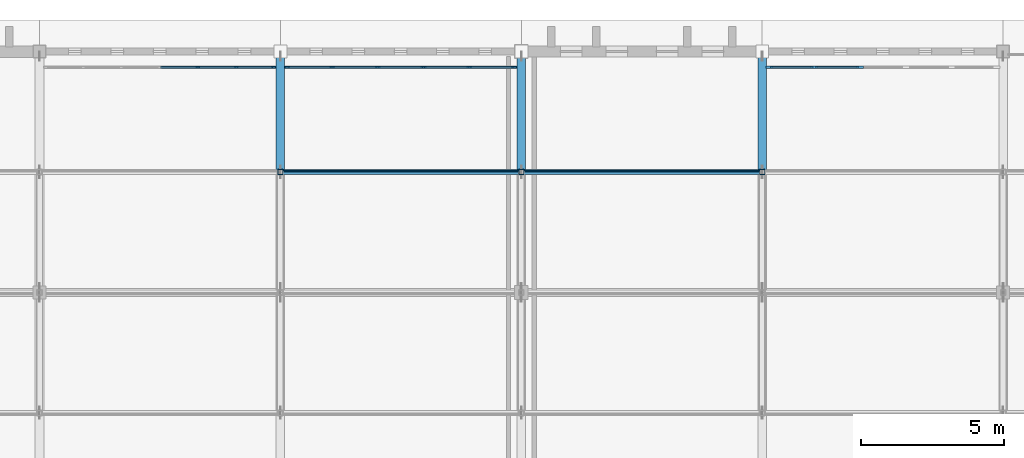
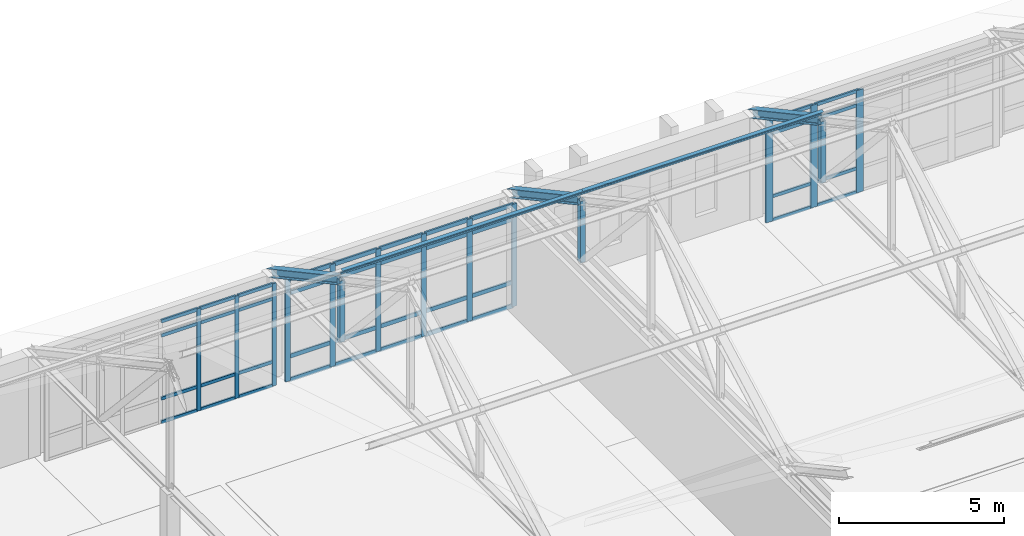
# One storey, part 38 of 110: 60 members, 3 elements without a shape of their own.
"""IFC4 building model written with IfcOpenShell, lengths in metres."""

from ifc_helpers import new_model, si_unit, direction, frame, origin, origin_2d, place, context, subcontext, project, spatial, rectangle, hollow_rectangle, i_section, extrude, material, layer, layer_set, material_profile, profile_set, type_object, element, aggregate, save


model = new_model("IFC4")

# Units and contexts
model_context = context("Model", 3, precision=1e-05, world=origin(), true_north=direction((0.0, 1.0)))
body_context = subcontext(model_context, "Body", "Model", "MODEL_VIEW")
ifc_project = project(units=[si_unit("LENGTHUNIT", "METRE"), si_unit("AREAUNIT", "SQUARE_METRE"), si_unit("VOLUMEUNIT", "CUBIC_METRE"), si_unit("PLANEANGLEUNIT", "RADIAN"), si_unit("MASSUNIT", "GRAM", prefix="KILO")], contexts=[model_context])

# Site, building, storey
site_placement = place(None, origin())
site = spatial("IfcSite", under=ifc_project, at=site_placement, CompositionType="ELEMENT")
building_placement = place(site_placement, origin())
building = spatial("IfcBuilding", under=site, at=building_placement, Name="Kveldsbrygga Polytechnic", CompositionType="ELEMENT")
storey_placement = place(building_placement, frame((0.0, 0.0, 9.860107421875)))
storey = spatial("IfcBuildingStorey", under=building, at=storey_placement, Name="L02", CompositionType="ELEMENT", Elevation=9.860107421875)

# Curtain wall, members
ifc_material_1 = material(Name="Anodised aluminium AW-6060", Category="aluminium")
ifc_layer_1 = layer(ifc_material_1, 0.179931640625)
ifc_layer_set_1 = layer_set([ifc_layer_1], Name="Anodised aluminium AW-6060")
curtain_wall_type_1 = type_object("IfcCurtainWallType", Name="CW-CONC-A", PredefinedType="USERDEFINED", material=ifc_layer_set_1)
curtain_wall_1_placement = place(storey_placement, origin())
curtain_wall_1 = element("IfcCurtainWall", 1, at=curtain_wall_1_placement, inside=storey, type_object=curtain_wall_type_1, Name="Curtain Wall CW-L02-X-07-14", ObjectType="UNITISED CURTAIN WALL", PredefinedType="USERDEFINED")
ifc_material_profile_1 = material_profile(ifc_material_1, rectangle(XDim=0.06005859375, YDim=0.139892578125, at=origin_2d()), Name="ALU 60x140")
ifc_profile_set_1 = profile_set([ifc_material_profile_1], Name="Anodised aluminium AW-6060")
member_type_1 = type_object("IfcMemberType", Name="CW-MUL-140", PredefinedType="MULLION", material=ifc_profile_set_1)
member_1_placement = place(storey_placement, frame((64.324951171875, 117.050048828125, 0.0), z_axis=(0.0, 0.0, 1.0), x_axis=(0.0, 1.0, 0.0)))
member_1 = element("IfcMember", 2, at=member_1_placement, type_object=member_type_1, Name="CW-01 mullion 5", PredefinedType="MULLION", context=body_context, shape_type="SweptSolid", body=[
    extrude(rectangle(XDim=0.06005859375, YDim=0.139892578125, at=origin_2d()), origin(), (0.0, 0.0, 1.0), 3.77978515625),
])
member_2_placement = place(storey_placement, frame((65.657470703125, 117.050048828125, 0.0), z_axis=(0.0, 0.0, 1.0), x_axis=(0.0, 1.0, 0.0)))
member_2 = element("IfcMember", 3, at=member_2_placement, type_object=member_type_1, Name="CW-01 mullion 6", PredefinedType="MULLION", context=body_context, shape_type="SweptSolid", body=[
    extrude(rectangle(XDim=0.06005859375, YDim=0.139892578125, at=origin_2d()), origin(), (0.0, 0.0, 1.0), 3.77978515625),
])
member_3_placement = place(storey_placement, frame((66.9599609375, 117.050048828125, 0.0), z_axis=(0.0, 0.0, 1.0), x_axis=(0.0, 1.0, 0.0)))
member_3 = element("IfcMember", 4, at=member_3_placement, type_object=member_type_1, Name="CW-01 mullion 7", PredefinedType="MULLION", context=body_context, shape_type="SweptSolid", body=[
    extrude(rectangle(XDim=0.06005859375, YDim=0.139892578125, at=origin_2d()), origin(), (0.0, 0.0, 1.0), 3.77978515625),
])

ifc_layer_2 = layer(ifc_material_1, 0.199951171875)
ifc_layer_set_2 = layer_set([ifc_layer_2], Name="Anodised aluminium AW-6060")
curtain_wall_type_2 = type_object("IfcCurtainWallType", Name="CW-CONC-B", PredefinedType="USERDEFINED", material=ifc_layer_set_2)
curtain_wall_2_placement = place(storey_placement, origin())
curtain_wall_2 = element("IfcCurtainWall", 5, at=curtain_wall_2_placement, inside=storey, type_object=curtain_wall_type_2, Name="Curtain Wall CW-L02-X-08-14", ObjectType="UNITISED CURTAIN WALL", PredefinedType="USERDEFINED")
ifc_material_profile_2 = material_profile(ifc_material_1, rectangle(XDim=0.06005859375, YDim=0.179931640625, at=origin_2d()), Name="ALU 60x180")
ifc_profile_set_2 = profile_set([ifc_material_profile_2], Name="Anodised aluminium AW-6060")
member_type_2 = type_object("IfcMemberType", Name="CW-MUL-180", PredefinedType="MULLION", material=ifc_profile_set_2)
member_4_placement = place(storey_placement, frame((67.43994140625, 117.050048828125, 0.0), z_axis=(0.0, 0.0, 1.0), x_axis=(0.0, 1.0, 0.0)))
member_4 = element("IfcMember", 6, at=member_4_placement, type_object=member_type_2, Name="CW-02 mullion 1", PredefinedType="MULLION", context=body_context, shape_type="SweptSolid", body=[
    extrude(rectangle(XDim=0.06005859375, YDim=0.179931640625, at=origin_2d()), origin(), (0.0, 0.0, 1.0), 3.77978515625),
])
member_5_placement = place(storey_placement, frame((69.0029296875, 117.050048828125, 0.0), z_axis=(0.0, 0.0, 1.0), x_axis=(0.0, 1.0, 0.0)))
member_5 = element("IfcMember", 7, at=member_5_placement, type_object=member_type_2, Name="CW-02 mullion 2", PredefinedType="MULLION", context=body_context, shape_type="SweptSolid", body=[
    extrude(rectangle(XDim=0.06005859375, YDim=0.179931640625, at=origin_2d()), origin(), (0.0, 0.0, 1.0), 3.77978515625),
])
member_6_placement = place(storey_placement, frame((70.595947265625, 117.050048828125, 0.0), z_axis=(0.0, 0.0, 1.0), x_axis=(0.0, 1.0, 0.0)))
member_6 = element("IfcMember", 8, at=member_6_placement, type_object=member_type_2, Name="CW-02 mullion 3", PredefinedType="MULLION", context=body_context, shape_type="SweptSolid", body=[
    extrude(rectangle(XDim=0.06005859375, YDim=0.179931640625, at=origin_2d()), origin(), (0.0, 0.0, 1.0), 3.77978515625),
])
member_7_placement = place(storey_placement, frame((72.18896484375, 117.050048828125, 0.0), z_axis=(0.0, 0.0, 1.0), x_axis=(0.0, 1.0, 0.0)))
member_7 = element("IfcMember", 9, at=member_7_placement, type_object=member_type_2, Name="CW-02 mullion 4", PredefinedType="MULLION", context=body_context, shape_type="SweptSolid", body=[
    extrude(rectangle(XDim=0.06005859375, YDim=0.179931640625, at=origin_2d()), origin(), (0.0, 0.0, 1.0), 3.77978515625),
])
member_8_placement = place(storey_placement, frame((73.781982421875, 117.050048828125, 0.0), z_axis=(0.0, 0.0, 1.0), x_axis=(0.0, 1.0, 0.0)))
member_8 = element("IfcMember", 10, at=member_8_placement, type_object=member_type_2, Name="CW-02 mullion 5", PredefinedType="MULLION", context=body_context, shape_type="SweptSolid", body=[
    extrude(rectangle(XDim=0.06005859375, YDim=0.179931640625, at=origin_2d()), origin(), (0.0, 0.0, 1.0), 3.77978515625),
])
member_9_placement = place(storey_placement, frame((75.344970703125, 117.050048828125, 0.0), z_axis=(0.0, 0.0, 1.0), x_axis=(0.0, 1.0, 0.0)))
member_9 = element("IfcMember", 11, at=member_9_placement, type_object=member_type_2, Name="CW-02 mullion 6", PredefinedType="MULLION", context=body_context, shape_type="SweptSolid", body=[
    extrude(rectangle(XDim=0.06005859375, YDim=0.179931640625, at=origin_2d()), origin(), (0.0, 0.0, 1.0), 3.77978515625),
])

ifc_layer_3 = layer(ifc_material_1, 0.179931640625)
ifc_layer_set_3 = layer_set([ifc_layer_3], Name="Anodised aluminium AW-6060")
curtain_wall_type_3 = type_object("IfcCurtainWallType", Name="CW-LANC-D", PredefinedType="USERDEFINED", material=ifc_layer_set_3)
curtain_wall_3_placement = place(storey_placement, origin())
curtain_wall_3 = element("IfcCurtainWall", 12, at=curtain_wall_3_placement, inside=storey, type_object=curtain_wall_type_3, Name="Curtain Wall CW-L02-X-10-14", ObjectType="UNITISED CURTAIN WALL", PredefinedType="USERDEFINED")
ifc_material_profile_3 = material_profile(ifc_material_1, rectangle(XDim=0.074951171875, YDim=0.239990234375, at=origin_2d()), Name="ALU 75x240")
ifc_profile_set_3 = profile_set([ifc_material_profile_3], Name="Anodised aluminium AW-6060")
member_type_3 = type_object("IfcMemberType", Name="CW-MUL-240", PredefinedType="MULLION", material=ifc_profile_set_3)
member_10_placement = place(storey_placement, frame((84.24755859375, 117.050048828125, 0.0), z_axis=(0.0, 0.0, 1.0), x_axis=(0.0, 1.0, 0.0)))
member_10 = element("IfcMember", 13, at=member_10_placement, type_object=member_type_3, Name="CW-04 mullion 1", PredefinedType="MULLION", context=body_context, shape_type="SweptSolid", body=[
    extrude(rectangle(XDim=0.074951171875, YDim=0.239990234375, at=origin_2d()), origin(), (0.0, 0.0, 1.0), 3.77978515625),
])
member_11_placement = place(storey_placement, frame((85.80908203125, 117.050048828125, 0.0), z_axis=(0.0, 0.0, 1.0), x_axis=(0.0, 1.0, 0.0)))
member_11 = element("IfcMember", 14, at=member_11_placement, type_object=member_type_3, Name="CW-04 mullion 2", PredefinedType="MULLION", context=body_context, shape_type="SweptSolid", body=[
    extrude(rectangle(XDim=0.074951171875, YDim=0.239990234375, at=origin_2d()), origin(), (0.0, 0.0, 1.0), 3.77978515625),
])
member_12_placement = place(storey_placement, frame((87.407958984375, 117.050048828125, 0.0), z_axis=(0.0, 0.0, 1.0), x_axis=(0.0, 1.0, 0.0)))
member_12 = element("IfcMember", 15, at=member_12_placement, type_object=member_type_3, Name="CW-04 mullion 3", PredefinedType="MULLION", context=body_context, shape_type="SweptSolid", body=[
    extrude(rectangle(XDim=0.074951171875, YDim=0.239990234375, at=origin_2d()), origin(), (0.0, 0.0, 1.0), 3.77978515625),
])

# Member
ifc_material_profile_4 = material_profile(ifc_material_1, rectangle(XDim=0.06005859375, YDim=0.1201171875, at=origin_2d()), Name="ALU 60x120")
ifc_profile_set_4 = profile_set([ifc_material_profile_4], Name="Anodised aluminium AW-6060")
member_type_4 = type_object("IfcMemberType", Name="CW-TRN-120", PredefinedType="USERDEFINED", material=ifc_profile_set_4)
member_13_placement = place(storey_placement, frame((63.0224609375, 117.050048828125, 0.02978515625), z_axis=(1.0, 0.0, 0.0), x_axis=(0.0, 1.0, 0.0)))
member_13 = element("IfcMember", 16, at=member_13_placement, type_object=member_type_4, Name="CW-01 transom 4.1", ObjectType="TRANSOM", PredefinedType="USERDEFINED", context=body_context, shape_type="SweptSolid", body=[
    extrude(rectangle(XDim=0.06005859375, YDim=0.1201171875, at=origin_2d()), origin(), (0.0, 0.0, 1.0), 1.2724609375),
])

member_14_placement = place(storey_placement, frame((63.0224609375, 117.050048828125, 0.89990234375), z_axis=(1.0, 0.0, 0.0), x_axis=(0.0, 1.0, 0.0)))
member_14 = element("IfcMember", 17, at=member_14_placement, type_object=member_type_4, Name="CW-01 transom 4.2", ObjectType="TRANSOM", PredefinedType="USERDEFINED", context=body_context, shape_type="SweptSolid", body=[
    extrude(rectangle(XDim=0.06005859375, YDim=0.1201171875, at=origin_2d()), origin(), (0.0, 0.0, 1.0), 1.2724609375),
])

member_15_placement = place(storey_placement, frame((63.0224609375, 117.050048828125, 3.22998046875), z_axis=(1.0, 0.0, 0.0), x_axis=(0.0, 1.0, 0.0)))
member_15 = element("IfcMember", 18, at=member_15_placement, type_object=member_type_4, Name="CW-01 transom 4.3", ObjectType="TRANSOM", PredefinedType="USERDEFINED", context=body_context, shape_type="SweptSolid", body=[
    extrude(rectangle(XDim=0.06005859375, YDim=0.1201171875, at=origin_2d()), origin(), (0.0, 0.0, 1.0), 1.2724609375),
])

member_16_placement = place(storey_placement, frame((63.0224609375, 117.050048828125, 3.75), z_axis=(1.0, 0.0, 0.0), x_axis=(0.0, 1.0, 0.0)))
member_16 = element("IfcMember", 19, at=member_16_placement, type_object=member_type_4, Name="CW-01 transom 4.4", ObjectType="TRANSOM", PredefinedType="USERDEFINED", context=body_context, shape_type="SweptSolid", body=[
    extrude(rectangle(XDim=0.06005859375, YDim=0.1201171875, at=origin_2d()), origin(), (0.0, 0.0, 1.0), 1.2724609375),
])

member_17_placement = place(storey_placement, frame((64.35498046875, 117.050048828125, 0.02978515625), z_axis=(1.0, 0.0, 0.0), x_axis=(0.0, 1.0, 0.0)))
member_17 = element("IfcMember", 20, at=member_17_placement, type_object=member_type_4, Name="CW-01 transom 5.1", ObjectType="TRANSOM", PredefinedType="USERDEFINED", context=body_context, shape_type="SweptSolid", body=[
    extrude(rectangle(XDim=0.06005859375, YDim=0.1201171875, at=origin_2d()), origin(), (0.0, 0.0, 1.0), 1.2724609375),
])

member_18_placement = place(storey_placement, frame((64.35498046875, 117.050048828125, 0.89990234375), z_axis=(1.0, 0.0, 0.0), x_axis=(0.0, 1.0, 0.0)))
member_18 = element("IfcMember", 21, at=member_18_placement, type_object=member_type_4, Name="CW-01 transom 5.2", ObjectType="TRANSOM", PredefinedType="USERDEFINED", context=body_context, shape_type="SweptSolid", body=[
    extrude(rectangle(XDim=0.06005859375, YDim=0.1201171875, at=origin_2d()), origin(), (0.0, 0.0, 1.0), 1.2724609375),
])

member_19_placement = place(storey_placement, frame((64.35498046875, 117.050048828125, 3.22998046875), z_axis=(1.0, 0.0, 0.0), x_axis=(0.0, 1.0, 0.0)))
member_19 = element("IfcMember", 22, at=member_19_placement, type_object=member_type_4, Name="CW-01 transom 5.3", ObjectType="TRANSOM", PredefinedType="USERDEFINED", context=body_context, shape_type="SweptSolid", body=[
    extrude(rectangle(XDim=0.06005859375, YDim=0.1201171875, at=origin_2d()), origin(), (0.0, 0.0, 1.0), 1.2724609375),
])

member_20_placement = place(storey_placement, frame((64.35498046875, 117.050048828125, 3.75), z_axis=(1.0, 0.0, 0.0), x_axis=(0.0, 1.0, 0.0)))
member_20 = element("IfcMember", 23, at=member_20_placement, type_object=member_type_4, Name="CW-01 transom 5.4", ObjectType="TRANSOM", PredefinedType="USERDEFINED", context=body_context, shape_type="SweptSolid", body=[
    extrude(rectangle(XDim=0.06005859375, YDim=0.1201171875, at=origin_2d()), origin(), (0.0, 0.0, 1.0), 1.2724609375),
])

member_21_placement = place(storey_placement, frame((65.6875, 117.050048828125, 0.02978515625), z_axis=(1.0, 0.0, 0.0), x_axis=(0.0, 1.0, 0.0)))
member_21 = element("IfcMember", 24, at=member_21_placement, type_object=member_type_4, Name="CW-01 transom 6.1", ObjectType="TRANSOM", PredefinedType="USERDEFINED", context=body_context, shape_type="SweptSolid", body=[
    extrude(rectangle(XDim=0.06005859375, YDim=0.1201171875, at=origin_2d()), origin(), (0.0, 0.0, 1.0), 1.242431640625),
])

member_22_placement = place(storey_placement, frame((65.6875, 117.050048828125, 0.89990234375), z_axis=(1.0, 0.0, 0.0), x_axis=(0.0, 1.0, 0.0)))
member_22 = element("IfcMember", 25, at=member_22_placement, type_object=member_type_4, Name="CW-01 transom 6.2", ObjectType="TRANSOM", PredefinedType="USERDEFINED", context=body_context, shape_type="SweptSolid", body=[
    extrude(rectangle(XDim=0.06005859375, YDim=0.1201171875, at=origin_2d()), origin(), (0.0, 0.0, 1.0), 1.242431640625),
])

member_23_placement = place(storey_placement, frame((65.6875, 117.050048828125, 3.22998046875), z_axis=(1.0, 0.0, 0.0), x_axis=(0.0, 1.0, 0.0)))
member_23 = element("IfcMember", 26, at=member_23_placement, type_object=member_type_4, Name="CW-01 transom 6.3", ObjectType="TRANSOM", PredefinedType="USERDEFINED", context=body_context, shape_type="SweptSolid", body=[
    extrude(rectangle(XDim=0.06005859375, YDim=0.1201171875, at=origin_2d()), origin(), (0.0, 0.0, 1.0), 1.242431640625),
])

member_24_placement = place(storey_placement, frame((65.6875, 117.050048828125, 3.75), z_axis=(1.0, 0.0, 0.0), x_axis=(0.0, 1.0, 0.0)))
member_24 = element("IfcMember", 27, at=member_24_placement, type_object=member_type_4, Name="CW-01 transom 6.4", ObjectType="TRANSOM", PredefinedType="USERDEFINED", context=body_context, shape_type="SweptSolid", body=[
    extrude(rectangle(XDim=0.06005859375, YDim=0.1201171875, at=origin_2d()), origin(), (0.0, 0.0, 1.0), 1.242431640625),
])

aggregate(curtain_wall_1, [member_1, member_2, member_3, member_13, member_14, member_15, member_16, member_17, member_18, member_19, member_20, member_21, member_22, member_23, member_24])

member_25_placement = place(storey_placement, frame((84.284912109375, 117.050048828125, 0.02978515625), z_axis=(1.0, 0.0, 0.0), x_axis=(0.0, 1.0, 0.0)))
member_25 = element("IfcMember", 28, at=member_25_placement, type_object=member_type_4, Name="CW-04 transom 1.1", ObjectType="TRANSOM", PredefinedType="USERDEFINED", context=body_context, shape_type="SweptSolid", body=[
    extrude(rectangle(XDim=0.06005859375, YDim=0.1201171875, at=origin_2d()), origin(), (0.0, 0.0, 1.0), 1.486572265625),
])

member_26_placement = place(storey_placement, frame((84.284912109375, 117.050048828125, 0.89990234375), z_axis=(1.0, 0.0, 0.0), x_axis=(0.0, 1.0, 0.0)))
member_26 = element("IfcMember", 29, at=member_26_placement, type_object=member_type_4, Name="CW-04 transom 1.2", ObjectType="TRANSOM", PredefinedType="USERDEFINED", context=body_context, shape_type="SweptSolid", body=[
    extrude(rectangle(XDim=0.06005859375, YDim=0.1201171875, at=origin_2d()), origin(), (0.0, 0.0, 1.0), 1.486572265625),
])

member_27_placement = place(storey_placement, frame((84.284912109375, 117.050048828125, 3.22998046875), z_axis=(1.0, 0.0, 0.0), x_axis=(0.0, 1.0, 0.0)))
member_27 = element("IfcMember", 30, at=member_27_placement, type_object=member_type_4, Name="CW-04 transom 1.3", ObjectType="TRANSOM", PredefinedType="USERDEFINED", context=body_context, shape_type="SweptSolid", body=[
    extrude(rectangle(XDim=0.06005859375, YDim=0.1201171875, at=origin_2d()), origin(), (0.0, 0.0, 1.0), 1.486572265625),
])

member_28_placement = place(storey_placement, frame((84.284912109375, 117.050048828125, 3.75), z_axis=(1.0, 0.0, 0.0), x_axis=(0.0, 1.0, 0.0)))
member_28 = element("IfcMember", 31, at=member_28_placement, type_object=member_type_4, Name="CW-04 transom 1.4", ObjectType="TRANSOM", PredefinedType="USERDEFINED", context=body_context, shape_type="SweptSolid", body=[
    extrude(rectangle(XDim=0.06005859375, YDim=0.1201171875, at=origin_2d()), origin(), (0.0, 0.0, 1.0), 1.486572265625),
])

member_29_placement = place(storey_placement, frame((85.846435546875, 117.050048828125, 0.02978515625), z_axis=(1.0, 0.0, 0.0), x_axis=(0.0, 1.0, 0.0)))
member_29 = element("IfcMember", 32, at=member_29_placement, type_object=member_type_4, Name="CW-04 transom 2.1", ObjectType="TRANSOM", PredefinedType="USERDEFINED", context=body_context, shape_type="SweptSolid", body=[
    extrude(rectangle(XDim=0.06005859375, YDim=0.1201171875, at=origin_2d()), origin(), (0.0, 0.0, 1.0), 1.524169921875),
])

member_30_placement = place(storey_placement, frame((85.846435546875, 117.050048828125, 0.89990234375), z_axis=(1.0, 0.0, 0.0), x_axis=(0.0, 1.0, 0.0)))
member_30 = element("IfcMember", 33, at=member_30_placement, type_object=member_type_4, Name="CW-04 transom 2.2", ObjectType="TRANSOM", PredefinedType="USERDEFINED", context=body_context, shape_type="SweptSolid", body=[
    extrude(rectangle(XDim=0.06005859375, YDim=0.1201171875, at=origin_2d()), origin(), (0.0, 0.0, 1.0), 1.524169921875),
])

member_31_placement = place(storey_placement, frame((85.846435546875, 117.050048828125, 3.22998046875), z_axis=(1.0, 0.0, 0.0), x_axis=(0.0, 1.0, 0.0)))
member_31 = element("IfcMember", 34, at=member_31_placement, type_object=member_type_4, Name="CW-04 transom 2.3", ObjectType="TRANSOM", PredefinedType="USERDEFINED", context=body_context, shape_type="SweptSolid", body=[
    extrude(rectangle(XDim=0.06005859375, YDim=0.1201171875, at=origin_2d()), origin(), (0.0, 0.0, 1.0), 1.524169921875),
])

member_32_placement = place(storey_placement, frame((85.846435546875, 117.050048828125, 3.75), z_axis=(1.0, 0.0, 0.0), x_axis=(0.0, 1.0, 0.0)))
member_32 = element("IfcMember", 35, at=member_32_placement, type_object=member_type_4, Name="CW-04 transom 2.4", ObjectType="TRANSOM", PredefinedType="USERDEFINED", context=body_context, shape_type="SweptSolid", body=[
    extrude(rectangle(XDim=0.06005859375, YDim=0.1201171875, at=origin_2d()), origin(), (0.0, 0.0, 1.0), 1.524169921875),
])

aggregate(curtain_wall_3, [member_10, member_11, member_12, member_25, member_26, member_27, member_28, member_29, member_30, member_31, member_32])

ifc_material_profile_5 = material_profile(ifc_material_1, rectangle(XDim=0.06005859375, YDim=0.14990234375, at=origin_2d()), Name="ALU 60x150")
ifc_profile_set_5 = profile_set([ifc_material_profile_5], Name="Anodised aluminium AW-6060")
member_type_5 = type_object("IfcMemberType", Name="CW-TRN-150", PredefinedType="USERDEFINED", material=ifc_profile_set_5)
member_33_placement = place(storey_placement, frame((67.469970703125, 117.050048828125, 0.02978515625), z_axis=(1.0, 0.0, 0.0), x_axis=(0.0, 1.0, 0.0)))
member_33 = element("IfcMember", 36, at=member_33_placement, type_object=member_type_5, Name="CW-02 transom 1.1", ObjectType="TRANSOM", PredefinedType="USERDEFINED", context=body_context, shape_type="SweptSolid", body=[
    extrude(rectangle(XDim=0.06005859375, YDim=0.14990234375, at=origin_2d()), origin(), (0.0, 0.0, 1.0), 1.5029296875),
])

member_34_placement = place(storey_placement, frame((67.469970703125, 117.050048828125, 0.89990234375), z_axis=(1.0, 0.0, 0.0), x_axis=(0.0, 1.0, 0.0)))
member_34 = element("IfcMember", 37, at=member_34_placement, type_object=member_type_5, Name="CW-02 transom 1.2", ObjectType="TRANSOM", PredefinedType="USERDEFINED", context=body_context, shape_type="SweptSolid", body=[
    extrude(rectangle(XDim=0.06005859375, YDim=0.14990234375, at=origin_2d()), origin(), (0.0, 0.0, 1.0), 1.5029296875),
])

member_35_placement = place(storey_placement, frame((67.469970703125, 117.050048828125, 3.22998046875), z_axis=(1.0, 0.0, 0.0), x_axis=(0.0, 1.0, 0.0)))
member_35 = element("IfcMember", 38, at=member_35_placement, type_object=member_type_5, Name="CW-02 transom 1.3", ObjectType="TRANSOM", PredefinedType="USERDEFINED", context=body_context, shape_type="SweptSolid", body=[
    extrude(rectangle(XDim=0.06005859375, YDim=0.14990234375, at=origin_2d()), origin(), (0.0, 0.0, 1.0), 1.5029296875),
])

member_36_placement = place(storey_placement, frame((67.469970703125, 117.050048828125, 3.75), z_axis=(1.0, 0.0, 0.0), x_axis=(0.0, 1.0, 0.0)))
member_36 = element("IfcMember", 39, at=member_36_placement, type_object=member_type_5, Name="CW-02 transom 1.4", ObjectType="TRANSOM", PredefinedType="USERDEFINED", context=body_context, shape_type="SweptSolid", body=[
    extrude(rectangle(XDim=0.06005859375, YDim=0.14990234375, at=origin_2d()), origin(), (0.0, 0.0, 1.0), 1.5029296875),
])

member_37_placement = place(storey_placement, frame((69.032958984375, 117.050048828125, 0.02978515625), z_axis=(1.0, 0.0, 0.0), x_axis=(0.0, 1.0, 0.0)))
member_37 = element("IfcMember", 40, at=member_37_placement, type_object=member_type_5, Name="CW-02 transom 2.1", ObjectType="TRANSOM", PredefinedType="USERDEFINED", context=body_context, shape_type="SweptSolid", body=[
    extrude(rectangle(XDim=0.06005859375, YDim=0.14990234375, at=origin_2d()), origin(), (0.0, 0.0, 1.0), 1.532958984375),
])

member_38_placement = place(storey_placement, frame((69.032958984375, 117.050048828125, 0.89990234375), z_axis=(1.0, 0.0, 0.0), x_axis=(0.0, 1.0, 0.0)))
member_38 = element("IfcMember", 41, at=member_38_placement, type_object=member_type_5, Name="CW-02 transom 2.2", ObjectType="TRANSOM", PredefinedType="USERDEFINED", context=body_context, shape_type="SweptSolid", body=[
    extrude(rectangle(XDim=0.06005859375, YDim=0.14990234375, at=origin_2d()), origin(), (0.0, 0.0, 1.0), 1.532958984375),
])

member_39_placement = place(storey_placement, frame((69.032958984375, 117.050048828125, 3.22998046875), z_axis=(1.0, 0.0, 0.0), x_axis=(0.0, 1.0, 0.0)))
member_39 = element("IfcMember", 42, at=member_39_placement, type_object=member_type_5, Name="CW-02 transom 2.3", ObjectType="TRANSOM", PredefinedType="USERDEFINED", context=body_context, shape_type="SweptSolid", body=[
    extrude(rectangle(XDim=0.06005859375, YDim=0.14990234375, at=origin_2d()), origin(), (0.0, 0.0, 1.0), 1.532958984375),
])

member_40_placement = place(storey_placement, frame((69.032958984375, 117.050048828125, 3.75), z_axis=(1.0, 0.0, 0.0), x_axis=(0.0, 1.0, 0.0)))
member_40 = element("IfcMember", 43, at=member_40_placement, type_object=member_type_5, Name="CW-02 transom 2.4", ObjectType="TRANSOM", PredefinedType="USERDEFINED", context=body_context, shape_type="SweptSolid", body=[
    extrude(rectangle(XDim=0.06005859375, YDim=0.14990234375, at=origin_2d()), origin(), (0.0, 0.0, 1.0), 1.532958984375),
])

member_41_placement = place(storey_placement, frame((70.6259765625, 117.050048828125, 0.02978515625), z_axis=(1.0, 0.0, 0.0), x_axis=(0.0, 1.0, 0.0)))
member_41 = element("IfcMember", 44, at=member_41_placement, type_object=member_type_5, Name="CW-02 transom 3.1", ObjectType="TRANSOM", PredefinedType="USERDEFINED", context=body_context, shape_type="SweptSolid", body=[
    extrude(rectangle(XDim=0.06005859375, YDim=0.14990234375, at=origin_2d()), origin(), (0.0, 0.0, 1.0), 1.532958984375),
])

member_42_placement = place(storey_placement, frame((70.6259765625, 117.050048828125, 0.89990234375), z_axis=(1.0, 0.0, 0.0), x_axis=(0.0, 1.0, 0.0)))
member_42 = element("IfcMember", 45, at=member_42_placement, type_object=member_type_5, Name="CW-02 transom 3.2", ObjectType="TRANSOM", PredefinedType="USERDEFINED", context=body_context, shape_type="SweptSolid", body=[
    extrude(rectangle(XDim=0.06005859375, YDim=0.14990234375, at=origin_2d()), origin(), (0.0, 0.0, 1.0), 1.532958984375),
])

member_43_placement = place(storey_placement, frame((70.6259765625, 117.050048828125, 3.22998046875), z_axis=(1.0, 0.0, 0.0), x_axis=(0.0, 1.0, 0.0)))
member_43 = element("IfcMember", 46, at=member_43_placement, type_object=member_type_5, Name="CW-02 transom 3.3", ObjectType="TRANSOM", PredefinedType="USERDEFINED", context=body_context, shape_type="SweptSolid", body=[
    extrude(rectangle(XDim=0.06005859375, YDim=0.14990234375, at=origin_2d()), origin(), (0.0, 0.0, 1.0), 1.532958984375),
])

member_44_placement = place(storey_placement, frame((70.6259765625, 117.050048828125, 3.75), z_axis=(1.0, 0.0, 0.0), x_axis=(0.0, 1.0, 0.0)))
member_44 = element("IfcMember", 47, at=member_44_placement, type_object=member_type_5, Name="CW-02 transom 3.4", ObjectType="TRANSOM", PredefinedType="USERDEFINED", context=body_context, shape_type="SweptSolid", body=[
    extrude(rectangle(XDim=0.06005859375, YDim=0.14990234375, at=origin_2d()), origin(), (0.0, 0.0, 1.0), 1.532958984375),
])

member_45_placement = place(storey_placement, frame((72.218994140625, 117.050048828125, 0.02978515625), z_axis=(1.0, 0.0, 0.0), x_axis=(0.0, 1.0, 0.0)))
member_45 = element("IfcMember", 48, at=member_45_placement, type_object=member_type_5, Name="CW-02 transom 4.1", ObjectType="TRANSOM", PredefinedType="USERDEFINED", context=body_context, shape_type="SweptSolid", body=[
    extrude(rectangle(XDim=0.06005859375, YDim=0.14990234375, at=origin_2d()), origin(), (0.0, 0.0, 1.0), 1.532958984375),
])

member_46_placement = place(storey_placement, frame((72.218994140625, 117.050048828125, 0.89990234375), z_axis=(1.0, 0.0, 0.0), x_axis=(0.0, 1.0, 0.0)))
member_46 = element("IfcMember", 49, at=member_46_placement, type_object=member_type_5, Name="CW-02 transom 4.2", ObjectType="TRANSOM", PredefinedType="USERDEFINED", context=body_context, shape_type="SweptSolid", body=[
    extrude(rectangle(XDim=0.06005859375, YDim=0.14990234375, at=origin_2d()), origin(), (0.0, 0.0, 1.0), 1.532958984375),
])

member_47_placement = place(storey_placement, frame((72.218994140625, 117.050048828125, 3.22998046875), z_axis=(1.0, 0.0, 0.0), x_axis=(0.0, 1.0, 0.0)))
member_47 = element("IfcMember", 50, at=member_47_placement, type_object=member_type_5, Name="CW-02 transom 4.3", ObjectType="TRANSOM", PredefinedType="USERDEFINED", context=body_context, shape_type="SweptSolid", body=[
    extrude(rectangle(XDim=0.06005859375, YDim=0.14990234375, at=origin_2d()), origin(), (0.0, 0.0, 1.0), 1.532958984375),
])

member_48_placement = place(storey_placement, frame((72.218994140625, 117.050048828125, 3.75), z_axis=(1.0, 0.0, 0.0), x_axis=(0.0, 1.0, 0.0)))
member_48 = element("IfcMember", 51, at=member_48_placement, type_object=member_type_5, Name="CW-02 transom 4.4", ObjectType="TRANSOM", PredefinedType="USERDEFINED", context=body_context, shape_type="SweptSolid", body=[
    extrude(rectangle(XDim=0.06005859375, YDim=0.14990234375, at=origin_2d()), origin(), (0.0, 0.0, 1.0), 1.532958984375),
])

member_49_placement = place(storey_placement, frame((73.81201171875, 117.050048828125, 0.02978515625), z_axis=(1.0, 0.0, 0.0), x_axis=(0.0, 1.0, 0.0)))
member_49 = element("IfcMember", 52, at=member_49_placement, type_object=member_type_5, Name="CW-02 transom 5.1", ObjectType="TRANSOM", PredefinedType="USERDEFINED", context=body_context, shape_type="SweptSolid", body=[
    extrude(rectangle(XDim=0.06005859375, YDim=0.14990234375, at=origin_2d()), origin(), (0.0, 0.0, 1.0), 1.5029296875),
])

member_50_placement = place(storey_placement, frame((73.81201171875, 117.050048828125, 0.89990234375), z_axis=(1.0, 0.0, 0.0), x_axis=(0.0, 1.0, 0.0)))
member_50 = element("IfcMember", 53, at=member_50_placement, type_object=member_type_5, Name="CW-02 transom 5.2", ObjectType="TRANSOM", PredefinedType="USERDEFINED", context=body_context, shape_type="SweptSolid", body=[
    extrude(rectangle(XDim=0.06005859375, YDim=0.14990234375, at=origin_2d()), origin(), (0.0, 0.0, 1.0), 1.5029296875),
])

member_51_placement = place(storey_placement, frame((73.81201171875, 117.050048828125, 3.22998046875), z_axis=(1.0, 0.0, 0.0), x_axis=(0.0, 1.0, 0.0)))
member_51 = element("IfcMember", 54, at=member_51_placement, type_object=member_type_5, Name="CW-02 transom 5.3", ObjectType="TRANSOM", PredefinedType="USERDEFINED", context=body_context, shape_type="SweptSolid", body=[
    extrude(rectangle(XDim=0.06005859375, YDim=0.14990234375, at=origin_2d()), origin(), (0.0, 0.0, 1.0), 1.5029296875),
])

member_52_placement = place(storey_placement, frame((73.81201171875, 117.050048828125, 3.75), z_axis=(1.0, 0.0, 0.0), x_axis=(0.0, 1.0, 0.0)))
member_52 = element("IfcMember", 55, at=member_52_placement, type_object=member_type_5, Name="CW-02 transom 5.4", ObjectType="TRANSOM", PredefinedType="USERDEFINED", context=body_context, shape_type="SweptSolid", body=[
    extrude(rectangle(XDim=0.06005859375, YDim=0.14990234375, at=origin_2d()), origin(), (0.0, 0.0, 1.0), 1.5029296875),
])

aggregate(curtain_wall_2, [member_4, member_5, member_6, member_7, member_8, member_9, member_33, member_34, member_35, member_36, member_37, member_38, member_39, member_40, member_41, member_42, member_43, member_44, member_45, member_46, member_47, member_48, member_49, member_50, member_51, member_52])

# Members
ifc_material_2 = material(Name="Steel S355", Category="steel")
ifc_material_profile_6 = material_profile(ifc_material_2, i_section(OverallWidth=0.10009765625, OverallDepth=0.199951171875, WebThickness=0.005615234375, FlangeThickness=0.008544921875, FilletRadius=0.011962890625, at=origin_2d()), Name="IPE 200")
ifc_profile_set_6 = profile_set([ifc_material_profile_6], Name="Steel S355")
member_type_6 = type_object("IfcMemberType", Name="PRL-IPE200", PredefinedType="PURLIN", material=ifc_profile_set_6)
member_53_placement = place(storey_placement, frame((67.199951171875, 113.39990234375, 6.33349609375), z_axis=(1.0, 0.0, 0.0), x_axis=(0.0, 0.879292204483, 0.476282709256)))
element("IfcMember", 56, at=member_53_placement, inside=storey, type_object=member_type_6, Name="Roof Purlin V2L2-PRL-4-3", PredefinedType="PURLIN", context=body_context, shape_type="SweptSolid", body=[
    extrude(i_section(OverallWidth=0.10009765625, OverallDepth=0.199951171875, WebThickness=0.005615234375, FlangeThickness=0.008544921875, FilletRadius=0.011962890625, at=origin_2d()), origin(), (0.0, 0.0, 1.0), 8.400146484375),
])
member_54_placement = place(storey_placement, frame((75.60009765625, 113.39990234375, 6.33349609375), z_axis=(1.0, 0.0, 0.0), x_axis=(0.0, 0.879292204483, 0.476282709256)))
element("IfcMember", 57, at=member_54_placement, inside=storey, type_object=member_type_6, Name="Roof Purlin V2L2-PRL-5-3", PredefinedType="PURLIN", context=body_context, shape_type="SweptSolid", body=[
    extrude(i_section(OverallWidth=0.10009765625, OverallDepth=0.199951171875, WebThickness=0.005615234375, FlangeThickness=0.008544921875, FilletRadius=0.011962890625, at=origin_2d()), origin(), (0.0, 0.0, 1.0), 8.39990234375),
])
ifc_material_profile_7 = material_profile(ifc_material_2, hollow_rectangle(XDim=0.179931640625, YDim=0.179931640625, WallThickness=0.010009765625, at=origin_2d()), Name="SHS 180x180x10.0")
ifc_profile_set_7 = profile_set([ifc_material_profile_7], Name="Steel S355")
member_type_7 = type_object("IfcMemberType", Name="TR-POST-SHS180", PredefinedType="STRUT", material=ifc_profile_set_7)
for number, where, z_axis, x_axis, name in (
    (58, (67.199951171875, 113.39990234375, 3.77978515625), (0.0, 0.0, 1.0), (1.0, 0.0, 0.0), "Truss Vertical V2L2-T04-VT-3"),
    (59, (75.60009765625, 113.39990234375, 3.77978515625), (0.0, 0.0, 1.0), (1.0, 0.0, 0.0), "Truss Vertical V2L2-T05-VT-3"),
    (60, (84.0, 113.39990234375, 3.77978515625), (0.0, 0.0, 1.0), (1.0, 0.0, 0.0), "Truss Vertical V2L2-T06-VT-3"),
):
    element("IfcMember", number, at=place(storey_placement, frame(where, z_axis=z_axis, x_axis=x_axis)), inside=storey, type_object=member_type_7, Name=name, PredefinedType="STRUT", context=body_context, shape_type="SweptSolid", body=[
        extrude(hollow_rectangle(XDim=0.179931640625, YDim=0.179931640625, WallThickness=0.010009765625, at=origin_2d()), origin(), (0.0, 0.0, 1.0), 2.275146484375),
    ])
ifc_material_profile_8 = material_profile(ifc_material_2, i_section(OverallWidth=0.300048828125, OverallDepth=0.2900390625, WebThickness=0.008544921875, FlangeThickness=0.013916015625, FilletRadius=0.027099609375, at=origin_2d()), Name="HEA 300")
ifc_profile_set_8 = profile_set([ifc_material_profile_8], Name="Steel S355")
member_type_8 = type_object("IfcMemberType", Name="TR-TOP-HEA300", PredefinedType="CHORD", material=ifc_profile_set_8)
for number, where, z_axis, x_axis, name in (
    (61, (67.199951171875, 113.39990234375, 6.054931640625), (0.0, 0.879288399135, -0.476289734454), (-1.0, 0.0, 0.0), "Truss Top Chord V2L2-T04-TC-4"),
    (62, (75.60009765625, 113.39990234375, 6.054931640625), (0.0, 0.879288399135, -0.476289734454), (-1.0, 0.0, 0.0), "Truss Top Chord V2L2-T05-TC-4"),
    (63, (84.0, 113.39990234375, 6.054931640625), (0.0, 0.879288399135, -0.476289734454), (-1.0, 0.0, 0.0), "Truss Top Chord V2L2-T06-TC-4"),
):
    element("IfcMember", number, at=place(storey_placement, frame(where, z_axis=z_axis, x_axis=x_axis)), inside=storey, type_object=member_type_8, Name=name, PredefinedType="CHORD", context=body_context, shape_type="SweptSolid", body=[
        extrude(i_section(OverallWidth=0.300048828125, OverallDepth=0.2900390625, WebThickness=0.008544921875, FlangeThickness=0.013916015625, FilletRadius=0.027099609375, at=origin_2d()), origin(), (0.0, 0.0, 1.0), 4.77685546875),
    ])

save(model, "model.ifc")
